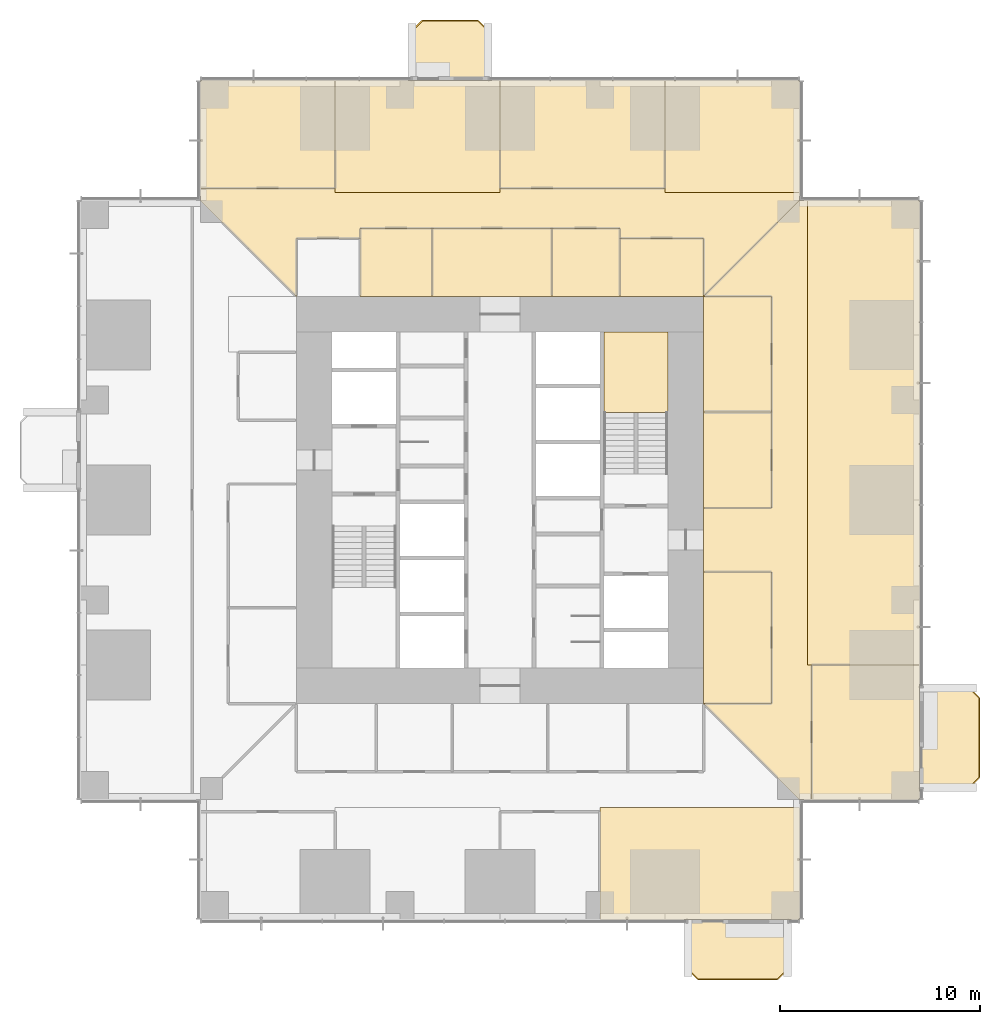
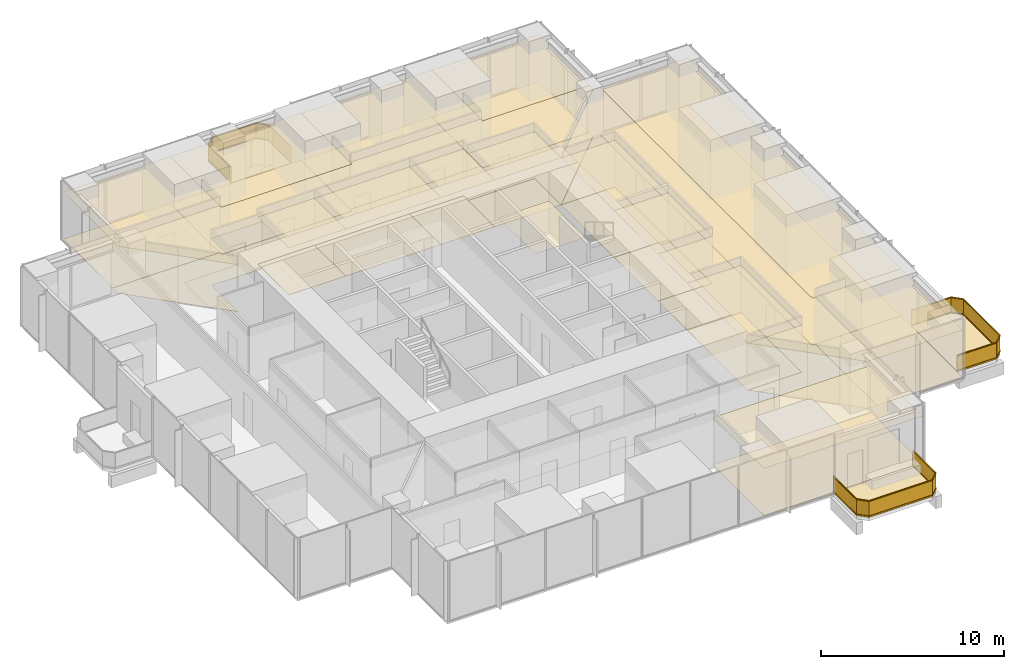
# One storey, part 14 of 15: 36 coverings, 3 railings.
"""IFC4 building model written with IfcOpenShell, lengths in metres."""

from ifc_helpers import new_model, si_unit, direction, frame, origin, origin_2d, place, context, subcontext, project, spatial, polyline, rectangle, outline, extrude, material, layer, layer_set, type_object, element, save


model = new_model("IFC4")

# Units and contexts
model_context = context("Model", 3, precision=1e-05, world=origin(), true_north=direction((0.0, 1.0)))
body_context = subcontext(model_context, "Body", "Model", "MODEL_VIEW")
ifc_project = project(units=[si_unit("LENGTHUNIT", "METRE"), si_unit("AREAUNIT", "SQUARE_METRE"), si_unit("VOLUMEUNIT", "CUBIC_METRE"), si_unit("PLANEANGLEUNIT", "RADIAN"), si_unit("MASSUNIT", "GRAM", prefix="KILO")], contexts=[model_context])

# Site, building, storey
site_placement = place(None, origin())
site = spatial("IfcSite", under=ifc_project, at=site_placement, CompositionType="ELEMENT")
building_placement = place(site_placement, origin())
building = spatial("IfcBuilding", under=site, at=building_placement, Name="Svetlomir Tower", CompositionType="ELEMENT")
storey_placement = place(building_placement, frame((0.0, 0.0, 42.5)))
storey = spatial("IfcBuildingStorey", under=building, at=storey_placement, Name="L09", CompositionType="ELEMENT", Elevation=42.5)

# Railings
ifc_material_1 = material(Name="Bronze anodised aluminium and laminated glass", Category="aluminium")
railing_type = type_object("IfcRailingType", Name="BALCONY GUARD GR1 1100", PredefinedType="GUARDRAIL", material=ifc_material_1)
railing_1_placement = place(storey_placement, frame((30.39990234375, 0.0, 0.0)))
element("IfcRailing", 1, at=railing_1_placement, inside=storey, type_object=railing_type, Name="Balcony guard S L09", PredefinedType="GUARDRAIL", context=body_context, shape_type="SweptSolid", body=[
    extrude(rectangle(XDim=0.06005859375, YDim=0.10009765625, at=origin_2d()), frame((0.0, 0.0, 0.050048828125), z_axis=(0.0, -1.0, 0.0), x_axis=(1.0, 0.0, 0.0)), (0.0, 0.0, 1.0), 2.5),
    extrude(rectangle(XDim=0.021484375, YDim=0.960205078125, at=origin_2d()), frame((0.0, 0.0, 0.580078125), z_axis=(0.0, -1.0, 0.0), x_axis=(1.0, 0.0, 0.0)), (0.0, 0.0, 1.0), 2.5),
    extrude(rectangle(XDim=0.06005859375, YDim=0.0400390625, at=origin_2d()), frame((0.0, 0.0, 1.080078125), z_axis=(0.0, -1.0, 0.0), x_axis=(1.0, 0.0, 0.0)), (0.0, 0.0, 1.0), 2.5),
    extrude(rectangle(XDim=0.06005859375, YDim=0.10009765625, at=origin_2d()), frame((0.0, -2.5, 0.050048828125), z_axis=(0.707106781187, -0.707106781187, 0.0), x_axis=(0.707106781187, 0.707106781187, 0.0)), (0.0, 0.0, 1.0), 0.70703125),
    extrude(rectangle(XDim=0.021484375, YDim=0.960205078125, at=origin_2d()), frame((0.0, -2.5, 0.580078125), z_axis=(0.707106781187, -0.707106781187, 0.0), x_axis=(0.707106781187, 0.707106781187, 0.0)), (0.0, 0.0, 1.0), 0.70703125),
    extrude(rectangle(XDim=0.06005859375, YDim=0.0400390625, at=origin_2d()), frame((0.0, -2.5, 1.080078125), z_axis=(0.707106781187, -0.707106781187, 0.0), x_axis=(0.707106781187, 0.707106781187, 0.0)), (0.0, 0.0, 1.0), 0.70703125),
    extrude(rectangle(XDim=0.06005859375, YDim=0.10009765625, at=origin_2d()), frame((0.5, -3.0, 0.050048828125), z_axis=(1.0, 0.0, 0.0), x_axis=(0.0, 1.0, 0.0)), (0.0, 0.0, 1.0), 4.0),
    extrude(rectangle(XDim=0.021484375, YDim=0.960205078125, at=origin_2d()), frame((0.5, -3.0, 0.580078125), z_axis=(1.0, 0.0, 0.0), x_axis=(0.0, 1.0, 0.0)), (0.0, 0.0, 1.0), 4.0),
    extrude(rectangle(XDim=0.06005859375, YDim=0.0400390625, at=origin_2d()), frame((0.5, -3.0, 1.080078125), z_axis=(1.0, 0.0, 0.0), x_axis=(0.0, 1.0, 0.0)), (0.0, 0.0, 1.0), 4.0),
    extrude(rectangle(XDim=0.06005859375, YDim=0.10009765625, at=origin_2d()), frame((4.5, -3.0, 0.050048828125), z_axis=(0.707106781187, 0.707106781187, 0.0), x_axis=(-0.707106781187, 0.707106781187, 0.0)), (0.0, 0.0, 1.0), 0.70703125),
    extrude(rectangle(XDim=0.021484375, YDim=0.960205078125, at=origin_2d()), frame((4.5, -3.0, 0.580078125), z_axis=(0.707106781187, 0.707106781187, 0.0), x_axis=(-0.707106781187, 0.707106781187, 0.0)), (0.0, 0.0, 1.0), 0.70703125),
    extrude(rectangle(XDim=0.06005859375, YDim=0.0400390625, at=origin_2d()), frame((4.5, -3.0, 1.080078125), z_axis=(0.707106781187, 0.707106781187, 0.0), x_axis=(-0.707106781187, 0.707106781187, 0.0)), (0.0, 0.0, 1.0), 0.70703125),
    extrude(rectangle(XDim=0.06005859375, YDim=0.10009765625, at=origin_2d()), frame((5.0, -2.5, 0.050048828125), z_axis=(0.0, 1.0, 0.0), x_axis=(-1.0, 0.0, 0.0)), (0.0, 0.0, 1.0), 2.5),
    extrude(rectangle(XDim=0.021484375, YDim=0.960205078125, at=origin_2d()), frame((5.0, -2.5, 0.580078125), z_axis=(0.0, 1.0, 0.0), x_axis=(-1.0, 0.0, 0.0)), (0.0, 0.0, 1.0), 2.5),
    extrude(rectangle(XDim=0.06005859375, YDim=0.0400390625, at=origin_2d()), frame((5.0, -2.5, 1.080078125), z_axis=(0.0, 1.0, 0.0), x_axis=(-1.0, 0.0, 0.0)), (0.0, 0.0, 1.0), 2.5),
])
railing_2_placement = place(storey_placement, frame((42.0, 6.60009765625, 0.0)))
element("IfcRailing", 2, at=railing_2_placement, inside=storey, type_object=railing_type, Name="Balcony guard E L09", PredefinedType="GUARDRAIL", context=body_context, shape_type="SweptSolid", body=[
    extrude(rectangle(XDim=0.06005859375, YDim=0.10009765625, at=origin_2d()), frame((0.0, 0.0, 0.050048828125), z_axis=(1.0, 0.0, 0.0), x_axis=(0.0, 1.0, 0.0)), (0.0, 0.0, 1.0), 2.5),
    extrude(rectangle(XDim=0.021484375, YDim=0.960205078125, at=origin_2d()), frame((0.0, 0.0, 0.580078125), z_axis=(1.0, 0.0, 0.0), x_axis=(0.0, 1.0, 0.0)), (0.0, 0.0, 1.0), 2.5),
    extrude(rectangle(XDim=0.06005859375, YDim=0.0400390625, at=origin_2d()), frame((0.0, 0.0, 1.080078125), z_axis=(1.0, 0.0, 0.0), x_axis=(0.0, 1.0, 0.0)), (0.0, 0.0, 1.0), 2.5),
    extrude(rectangle(XDim=0.06005859375, YDim=0.10009765625, at=origin_2d()), frame((2.5, 0.0, 0.050048828125), z_axis=(0.707106781187, 0.707106781187, 0.0), x_axis=(-0.707106781187, 0.707106781187, 0.0)), (0.0, 0.0, 1.0), 0.70703125),
    extrude(rectangle(XDim=0.021484375, YDim=0.960205078125, at=origin_2d()), frame((2.5, 0.0, 0.580078125), z_axis=(0.707106781187, 0.707106781187, 0.0), x_axis=(-0.707106781187, 0.707106781187, 0.0)), (0.0, 0.0, 1.0), 0.70703125),
    extrude(rectangle(XDim=0.06005859375, YDim=0.0400390625, at=origin_2d()), frame((2.5, 0.0, 1.080078125), z_axis=(0.707106781187, 0.707106781187, 0.0), x_axis=(-0.707106781187, 0.707106781187, 0.0)), (0.0, 0.0, 1.0), 0.70703125),
    extrude(rectangle(XDim=0.06005859375, YDim=0.10009765625, at=origin_2d()), frame((3.0, 0.5, 0.050048828125), z_axis=(0.0, 1.0, 0.0), x_axis=(-1.0, 0.0, 0.0)), (0.0, 0.0, 1.0), 4.0),
    extrude(rectangle(XDim=0.021484375, YDim=0.960205078125, at=origin_2d()), frame((3.0, 0.5, 0.580078125), z_axis=(0.0, 1.0, 0.0), x_axis=(-1.0, 0.0, 0.0)), (0.0, 0.0, 1.0), 4.0),
    extrude(rectangle(XDim=0.06005859375, YDim=0.0400390625, at=origin_2d()), frame((3.0, 0.5, 1.080078125), z_axis=(0.0, 1.0, 0.0), x_axis=(-1.0, 0.0, 0.0)), (0.0, 0.0, 1.0), 4.0),
    extrude(rectangle(XDim=0.06005859375, YDim=0.10009765625, at=origin_2d()), frame((3.0, 4.5, 0.050048828125), z_axis=(-0.707106781187, 0.707106781187, 0.0), x_axis=(-0.707106781187, -0.707106781187, 0.0)), (0.0, 0.0, 1.0), 0.70703125),
    extrude(rectangle(XDim=0.021484375, YDim=0.960205078125, at=origin_2d()), frame((3.0, 4.5, 0.580078125), z_axis=(-0.707106781187, 0.707106781187, 0.0), x_axis=(-0.707106781187, -0.707106781187, 0.0)), (0.0, 0.0, 1.0), 0.70703125),
    extrude(rectangle(XDim=0.06005859375, YDim=0.0400390625, at=origin_2d()), frame((3.0, 4.5, 1.080078125), z_axis=(-0.707106781187, 0.707106781187, 0.0), x_axis=(-0.707106781187, -0.707106781187, 0.0)), (0.0, 0.0, 1.0), 0.70703125),
    extrude(rectangle(XDim=0.06005859375, YDim=0.10009765625, at=origin_2d()), frame((2.5, 5.0, 0.050048828125), z_axis=(-1.0, 0.0, 0.0), x_axis=(0.0, -1.0, 0.0)), (0.0, 0.0, 1.0), 2.5),
    extrude(rectangle(XDim=0.021484375, YDim=0.960205078125, at=origin_2d()), frame((2.5, 5.0, 0.580078125), z_axis=(-1.0, 0.0, 0.0), x_axis=(0.0, -1.0, 0.0)), (0.0, 0.0, 1.0), 2.5),
    extrude(rectangle(XDim=0.06005859375, YDim=0.0400390625, at=origin_2d()), frame((2.5, 5.0, 1.080078125), z_axis=(-1.0, 0.0, 0.0), x_axis=(0.0, -1.0, 0.0)), (0.0, 0.0, 1.0), 2.5),
])
railing_3_placement = place(storey_placement, frame((20.39990234375, 42.0, 0.0)))
element("IfcRailing", 3, at=railing_3_placement, inside=storey, type_object=railing_type, Name="Balcony guard N L09", PredefinedType="GUARDRAIL", context=body_context, shape_type="SweptSolid", body=[
    extrude(rectangle(XDim=0.06005859375, YDim=0.10009765625, at=origin_2d()), frame((0.0, 0.0, 0.050048828125), z_axis=(0.0, 1.0, 0.0), x_axis=(-1.0, 0.0, 0.0)), (0.0, 0.0, 1.0), 2.5),
    extrude(rectangle(XDim=0.021484375, YDim=0.960205078125, at=origin_2d()), frame((0.0, 0.0, 0.580078125), z_axis=(0.0, 1.0, 0.0), x_axis=(-1.0, 0.0, 0.0)), (0.0, 0.0, 1.0), 2.5),
    extrude(rectangle(XDim=0.06005859375, YDim=0.0400390625, at=origin_2d()), frame((0.0, 0.0, 1.080078125), z_axis=(0.0, 1.0, 0.0), x_axis=(-1.0, 0.0, 0.0)), (0.0, 0.0, 1.0), 2.5),
    extrude(rectangle(XDim=0.06005859375, YDim=0.10009765625, at=origin_2d()), frame((0.0, 2.5, 0.050048828125), z_axis=(-0.707106781187, 0.707106781187, 0.0), x_axis=(-0.707106781187, -0.707106781187, 0.0)), (0.0, 0.0, 1.0), 0.70703125),
    extrude(rectangle(XDim=0.021484375, YDim=0.960205078125, at=origin_2d()), frame((0.0, 2.5, 0.580078125), z_axis=(-0.707106781187, 0.707106781187, 0.0), x_axis=(-0.707106781187, -0.707106781187, 0.0)), (0.0, 0.0, 1.0), 0.70703125),
    extrude(rectangle(XDim=0.06005859375, YDim=0.0400390625, at=origin_2d()), frame((0.0, 2.5, 1.080078125), z_axis=(-0.707106781187, 0.707106781187, 0.0), x_axis=(-0.707106781187, -0.707106781187, 0.0)), (0.0, 0.0, 1.0), 0.70703125),
    extrude(rectangle(XDim=0.06005859375, YDim=0.10009765625, at=origin_2d()), frame((-0.5, 3.0, 0.050048828125), z_axis=(-1.0, 0.0, 0.0), x_axis=(0.0, -1.0, 0.0)), (0.0, 0.0, 1.0), 2.7998046875),
    extrude(rectangle(XDim=0.021484375, YDim=0.960205078125, at=origin_2d()), frame((-0.5, 3.0, 0.580078125), z_axis=(-1.0, 0.0, 0.0), x_axis=(0.0, -1.0, 0.0)), (0.0, 0.0, 1.0), 2.7998046875),
    extrude(rectangle(XDim=0.06005859375, YDim=0.0400390625, at=origin_2d()), frame((-0.5, 3.0, 1.080078125), z_axis=(-1.0, 0.0, 0.0), x_axis=(0.0, -1.0, 0.0)), (0.0, 0.0, 1.0), 2.7998046875),
    extrude(rectangle(XDim=0.06005859375, YDim=0.10009765625, at=origin_2d()), frame((-3.2998046875, 3.0, 0.050048828125), z_axis=(-0.707106781187, -0.707106781187, 0.0), x_axis=(0.707106781187, -0.707106781187, 0.0)), (0.0, 0.0, 1.0), 0.70703125),
    extrude(rectangle(XDim=0.021484375, YDim=0.960205078125, at=origin_2d()), frame((-3.2998046875, 3.0, 0.580078125), z_axis=(-0.707106781187, -0.707106781187, 0.0), x_axis=(0.707106781187, -0.707106781187, 0.0)), (0.0, 0.0, 1.0), 0.70703125),
    extrude(rectangle(XDim=0.06005859375, YDim=0.0400390625, at=origin_2d()), frame((-3.2998046875, 3.0, 1.080078125), z_axis=(-0.707106781187, -0.707106781187, 0.0), x_axis=(0.707106781187, -0.707106781187, 0.0)), (0.0, 0.0, 1.0), 0.70703125),
    extrude(rectangle(XDim=0.06005859375, YDim=0.10009765625, at=origin_2d()), frame((-3.7998046875, 2.5, 0.050048828125), z_axis=(0.0, -1.0, 0.0), x_axis=(1.0, 0.0, 0.0)), (0.0, 0.0, 1.0), 2.5),
    extrude(rectangle(XDim=0.021484375, YDim=0.960205078125, at=origin_2d()), frame((-3.7998046875, 2.5, 0.580078125), z_axis=(0.0, -1.0, 0.0), x_axis=(1.0, 0.0, 0.0)), (0.0, 0.0, 1.0), 2.5),
    extrude(rectangle(XDim=0.06005859375, YDim=0.0400390625, at=origin_2d()), frame((-3.7998046875, 2.5, 1.080078125), z_axis=(0.0, -1.0, 0.0), x_axis=(1.0, 0.0, 0.0)), (0.0, 0.0, 1.0), 2.5),
])

# Coverings
ifc_material_2 = material(Name="Granite paving slabs on pedestals", Category="masonry")
ifc_layer_1 = layer(ifc_material_2, 0.0400390625)
ifc_layer_set_1 = layer_set([ifc_layer_1], Name="Granite paving slabs on pedestals")
covering_type_1 = type_object("IfcCoveringType", Name="BALCONY PAVING 40", PredefinedType="USERDEFINED", material=ifc_layer_set_1)
covering_1_placement = place(storey_placement, origin())
element("IfcCovering", 4, at=covering_1_placement, inside=storey, type_object=covering_type_1, Name="Balcony paving S L09", ObjectType="BALCONY PAVING", PredefinedType="USERDEFINED", context=body_context, shape_type="SweptSolid", body=[
    extrude(outline(polyline([(30.39990234375, -2.5), (30.89990234375, -3.0), (34.89990234375, -3.0), (35.39990234375, -2.5), (35.39990234375, 0.0), (30.39990234375, 0.0), (30.39990234375, -2.5)])), origin(), (0.0, 0.0, 1.0), 0.0400390625),
])
covering_2_placement = place(storey_placement, origin())
element("IfcCovering", 5, at=covering_2_placement, inside=storey, type_object=covering_type_1, Name="Balcony paving E L09", ObjectType="BALCONY PAVING", PredefinedType="USERDEFINED", context=body_context, shape_type="SweptSolid", body=[
    extrude(outline(polyline([(42.0, 6.60009765625), (44.5, 6.60009765625), (45.0, 7.10009765625), (45.0, 11.10009765625), (44.5, 11.60009765625), (42.0, 11.60009765625), (42.0, 6.60009765625)])), origin(), (0.0, 0.0, 1.0), 0.0400390625),
])
covering_3_placement = place(storey_placement, origin())
element("IfcCovering", 6, at=covering_3_placement, inside=storey, type_object=covering_type_1, Name="Balcony paving N L09", ObjectType="BALCONY PAVING", PredefinedType="USERDEFINED", context=body_context, shape_type="SweptSolid", body=[
    extrude(outline(polyline([(16.60009765625, 42.0), (20.39990234375, 42.0), (20.39990234375, 44.5), (19.89990234375, 45.0), (17.10009765625, 45.0), (16.60009765625, 44.5), (16.60009765625, 42.0)])), origin(), (0.0, 0.0, 1.0), 0.0400390625),
])
ifc_material_3 = material(Name="Carpet tile", Category="textile")
ifc_layer_2 = layer(ifc_material_3, 0.010009765625)
ifc_layer_set_2 = layer_set([ifc_layer_2], Name="Carpet tile")
covering_type_2 = type_object("IfcCoveringType", Name="CARPET TILE FLOOR 10", PredefinedType="FLOORING", material=ifc_layer_set_2)
covering_4_placement = place(storey_placement, origin())
element("IfcCovering", 7, at=covering_4_placement, inside=storey, type_object=covering_type_2, Name="Floor finish L09-18", PredefinedType="FLOORING", context=body_context, shape_type="SweptSolid", body=[
    extrude(outline(polyline([(31.199951171875, 10.800048828125), (34.60009765625, 10.800048828125), (34.60009765625, 17.39990234375), (31.199951171875, 17.39990234375), (31.199951171875, 10.800048828125)])), origin(), (0.0, 0.0, 1.0), 0.010009765625),
])
covering_5_placement = place(storey_placement, origin())
element("IfcCovering", 8, at=covering_5_placement, inside=storey, type_object=covering_type_2, Name="Floor finish L09-19", PredefinedType="FLOORING", context=body_context, shape_type="SweptSolid", body=[
    extrude(outline(polyline([(31.199951171875, 20.60009765625), (34.60009765625, 20.60009765625), (34.60009765625, 25.39990234375), (31.199951171875, 25.39990234375), (31.199951171875, 20.60009765625)])), origin(), (0.0, 0.0, 1.0), 0.010009765625),
])
covering_6_placement = place(storey_placement, origin())
element("IfcCovering", 9, at=covering_6_placement, inside=storey, type_object=covering_type_2, Name="Floor finish L09-20", PredefinedType="FLOORING", context=body_context, shape_type="SweptSolid", body=[
    extrude(outline(polyline([(31.199951171875, 25.39990234375), (34.60009765625, 25.39990234375), (34.60009765625, 31.199951171875), (31.199951171875, 31.199951171875), (31.199951171875, 25.39990234375)])), origin(), (0.0, 0.0, 1.0), 0.010009765625),
])
covering_7_placement = place(storey_placement, origin())
element("IfcCovering", 10, at=covering_7_placement, inside=storey, type_object=covering_type_2, Name="Floor finish L09-21", PredefinedType="FLOORING", context=body_context, shape_type="SweptSolid", body=[
    extrude(outline(polyline([(36.60009765625, 6.0), (42.0, 6.0), (42.0, 12.75), (36.60009765625, 12.75), (36.60009765625, 6.0)])), origin(), (0.0, 0.0, 1.0), 0.010009765625),
])
covering_8_placement = place(storey_placement, origin())
element("IfcCovering", 11, at=covering_8_placement, inside=storey, type_object=covering_type_2, Name="Floor finish L09-23", PredefinedType="FLOORING", context=body_context, shape_type="SweptSolid", body=[
    extrude(outline(polyline([(14.0, 31.199951171875), (17.60009765625, 31.199951171875), (17.60009765625, 34.60009765625), (14.0, 34.60009765625), (14.0, 31.199951171875)])), origin(), (0.0, 0.0, 1.0), 0.010009765625),
])
covering_9_placement = place(storey_placement, origin())
element("IfcCovering", 12, at=covering_9_placement, inside=storey, type_object=covering_type_2, Name="Floor finish L09-24", PredefinedType="FLOORING", context=body_context, shape_type="SweptSolid", body=[
    extrude(outline(polyline([(23.60009765625, 31.199951171875), (27.0, 31.199951171875), (27.0, 34.60009765625), (23.60009765625, 34.60009765625), (23.60009765625, 31.199951171875)])), origin(), (0.0, 0.0, 1.0), 0.010009765625),
])
covering_10_placement = place(storey_placement, origin())
element("IfcCovering", 13, at=covering_10_placement, inside=storey, type_object=covering_type_2, Name="Floor finish L09-25", PredefinedType="FLOORING", context=body_context, shape_type="SweptSolid", body=[
    extrude(outline(polyline([(27.0, 31.199951171875), (31.199951171875, 31.199951171875), (31.199951171875, 34.10009765625), (27.0, 34.10009765625), (27.0, 31.199951171875)])), origin(), (0.0, 0.0, 1.0), 0.010009765625),
])
covering_11_placement = place(storey_placement, origin())
element("IfcCovering", 14, at=covering_11_placement, inside=storey, type_object=covering_type_2, Name="Floor finish L09-26", PredefinedType="FLOORING", context=body_context, shape_type="SweptSolid", body=[
    extrude(outline(polyline([(6.0, 36.60009765625), (12.75, 36.60009765625), (12.75, 42.0), (6.0, 42.0), (6.0, 36.60009765625)])), origin(), (0.0, 0.0, 1.0), 0.010009765625),
])
covering_12_placement = place(storey_placement, origin())
element("IfcCovering", 15, at=covering_12_placement, inside=storey, type_object=covering_type_2, Name="Floor finish L09-27", PredefinedType="FLOORING", context=body_context, shape_type="SweptSolid", body=[
    extrude(outline(polyline([(21.0, 36.60009765625), (29.25, 36.60009765625), (29.25, 42.0), (21.0, 42.0), (21.0, 36.60009765625)])), origin(), (0.0, 0.0, 1.0), 0.010009765625),
])
covering_13_placement = place(storey_placement, origin())
element("IfcCovering", 16, at=covering_13_placement, inside=storey, type_object=covering_type_2, Name="Floor finish L09-31", PredefinedType="FLOORING", context=body_context, shape_type="SweptSolid", body=[
    extrude(outline(polyline([(31.199951171875, 10.800048828125), (34.60009765625, 10.800048828125), (34.60009765625, 17.39990234375), (31.199951171875, 17.39990234375), (31.199951171875, 20.60009765625), (34.60009765625, 20.60009765625), (34.60009765625, 31.199951171875), (31.199951171875, 31.199951171875), (36.0, 36.0), (36.39990234375, 36.0), (36.39990234375, 12.75), (36.60009765625, 12.75), (36.60009765625, 6.0), (36.0, 6.0), (31.199951171875, 10.800048828125)])), origin(), (0.0, 0.0, 1.0), 0.010009765625),
])
covering_14_placement = place(storey_placement, origin())
element("IfcCovering", 17, at=covering_14_placement, inside=storey, type_object=covering_type_2, Name="Floor finish L09-32", PredefinedType="FLOORING", context=body_context, shape_type="SweptSolid", body=[
    extrude(outline(polyline([(6.0, 36.60009765625), (12.75, 36.60009765625), (12.75, 36.39990234375), (21.0, 36.39990234375), (21.0, 36.60009765625), (29.25, 36.60009765625), (29.25, 36.39990234375), (36.0, 36.39990234375), (36.0, 36.0), (31.199951171875, 31.199951171875), (31.199951171875, 34.10009765625), (27.0, 34.10009765625), (27.0, 34.60009765625), (14.0, 34.60009765625), (14.0, 34.10009765625), (10.800048828125, 34.10009765625), (10.800048828125, 31.199951171875), (6.0, 36.0), (6.0, 36.60009765625)])), origin(), (0.0, 0.0, 1.0), 0.010009765625),
])
covering_15_placement = place(storey_placement, origin())
element("IfcCovering", 18, at=covering_15_placement, inside=storey, type_object=covering_type_2, Name="Floor finish L09-35", PredefinedType="FLOORING", context=body_context, shape_type="SweptSolid", body=[
    extrude(outline(polyline([(26.0, 0.0), (26.0, 5.60009765625), (36.0, 5.60009765625), (36.0, 0.0), (26.0, 0.0)])), origin(), (0.0, 0.0, 1.0), 0.010009765625),
])
covering_16_placement = place(storey_placement, origin())
element("IfcCovering", 19, at=covering_16_placement, inside=storey, type_object=covering_type_2, Name="Floor finish L09-38", PredefinedType="FLOORING", context=body_context, shape_type="SweptSolid", body=[
    extrude(outline(polyline([(42.0, 12.75), (36.39990234375, 12.75), (36.39990234375, 36.0), (42.0, 36.0), (42.0, 12.75)])), origin(), (0.0, 0.0, 1.0), 0.010009765625),
])
covering_17_placement = place(storey_placement, origin())
element("IfcCovering", 20, at=covering_17_placement, inside=storey, type_object=covering_type_2, Name="Floor finish L09-39", PredefinedType="FLOORING", context=body_context, shape_type="SweptSolid", body=[
    extrude(outline(polyline([(21.0, 42.0), (21.0, 36.39990234375), (12.75, 36.39990234375), (12.75, 42.0), (21.0, 42.0)])), origin(), (0.0, 0.0, 1.0), 0.010009765625),
])
covering_18_placement = place(storey_placement, origin())
element("IfcCovering", 21, at=covering_18_placement, inside=storey, type_object=covering_type_2, Name="Floor finish L09-40", PredefinedType="FLOORING", context=body_context, shape_type="SweptSolid", body=[
    extrude(outline(polyline([(36.0, 42.0), (36.0, 36.39990234375), (29.25, 36.39990234375), (29.25, 42.0), (36.0, 42.0)])), origin(), (0.0, 0.0, 1.0), 0.010009765625),
])
covering_19_placement = place(storey_placement, origin())
element("IfcCovering", 22, at=covering_19_placement, inside=storey, type_object=covering_type_2, Name="Floor finish L09-41", PredefinedType="FLOORING", context=body_context, shape_type="SweptSolid", body=[
    extrude(outline(polyline([(17.60009765625, 31.199951171875), (17.60009765625, 34.60009765625), (23.60009765625, 34.60009765625), (23.60009765625, 31.199951171875), (17.60009765625, 31.199951171875)])), origin(), (0.0, 0.0, 1.0), 0.010009765625),
])
ifc_material_4 = material(Name="Studded rubber floor finish", Category="rubber")
ifc_layer_3 = layer(ifc_material_4, 0.006103515625)
ifc_layer_set_3 = layer_set([ifc_layer_3], Name="Studded rubber floor finish")
covering_type_3 = type_object("IfcCoveringType", Name="RUBBER LANDING FINISH 6", PredefinedType="FLOORING", material=ifc_layer_set_3)
covering_20_placement = place(storey_placement, frame((0.0, 0.0, 2.0)))
element("IfcCovering", 23, at=covering_20_placement, inside=storey, type_object=covering_type_3, Name="Stair S2 landing finish L09", PredefinedType="FLOORING", context=body_context, shape_type="SweptSolid", body=[
    extrude(outline(polyline([(26.199951171875, 25.3798828125), (29.39990234375, 25.3798828125), (29.39990234375, 29.39990234375), (26.199951171875, 29.39990234375), (26.199951171875, 25.3798828125)])), origin(), (0.0, 0.0, 1.0), 0.006103515625),
])
ifc_material_5 = material(Name="Mineral fibre ceiling tile", Category="mineral")
ifc_layer_4 = layer(ifc_material_5, 0.02001953125)
ifc_layer_set_4 = layer_set([ifc_layer_4], Name="Mineral fibre ceiling tile")
covering_type_4 = type_object("IfcCoveringType", Name="SUSPENDED CEILING 20", PredefinedType="CEILING", material=ifc_layer_set_4)
covering_21_placement = place(storey_placement, frame((0.0, 0.0, 3.1298828125)))
element("IfcCovering", 24, at=covering_21_placement, inside=storey, type_object=covering_type_4, Name="Ceiling L09-18", PredefinedType="CEILING", context=body_context, shape_type="SweptSolid", body=[
    extrude(outline(polyline([(31.199951171875, 10.800048828125), (34.60009765625, 10.800048828125), (34.60009765625, 17.39990234375), (31.199951171875, 17.39990234375), (31.199951171875, 10.800048828125)])), origin(), (0.0, 0.0, 1.0), 0.02001953125),
])
covering_22_placement = place(storey_placement, frame((0.0, 0.0, 3.1298828125)))
element("IfcCovering", 25, at=covering_22_placement, inside=storey, type_object=covering_type_4, Name="Ceiling L09-19", PredefinedType="CEILING", context=body_context, shape_type="SweptSolid", body=[
    extrude(outline(polyline([(31.199951171875, 20.60009765625), (34.60009765625, 20.60009765625), (34.60009765625, 25.39990234375), (31.199951171875, 25.39990234375), (31.199951171875, 20.60009765625)])), origin(), (0.0, 0.0, 1.0), 0.02001953125),
])
covering_23_placement = place(storey_placement, frame((0.0, 0.0, 3.1298828125)))
element("IfcCovering", 26, at=covering_23_placement, inside=storey, type_object=covering_type_4, Name="Ceiling L09-20", PredefinedType="CEILING", context=body_context, shape_type="SweptSolid", body=[
    extrude(outline(polyline([(31.199951171875, 25.39990234375), (34.60009765625, 25.39990234375), (34.60009765625, 31.199951171875), (31.199951171875, 31.199951171875), (31.199951171875, 25.39990234375)])), origin(), (0.0, 0.0, 1.0), 0.02001953125),
])
covering_24_placement = place(storey_placement, frame((0.0, 0.0, 3.1298828125)))
element("IfcCovering", 27, at=covering_24_placement, inside=storey, type_object=covering_type_4, Name="Ceiling L09-21", PredefinedType="CEILING", context=body_context, shape_type="SweptSolid", body=[
    extrude(outline(polyline([(36.60009765625, 6.0), (42.0, 6.0), (42.0, 12.75), (36.60009765625, 12.75), (36.60009765625, 6.0)])), origin(), (0.0, 0.0, 1.0), 0.02001953125),
])
covering_25_placement = place(storey_placement, frame((0.0, 0.0, 3.1298828125)))
element("IfcCovering", 28, at=covering_25_placement, inside=storey, type_object=covering_type_4, Name="Ceiling L09-23", PredefinedType="CEILING", context=body_context, shape_type="SweptSolid", body=[
    extrude(outline(polyline([(14.0, 31.199951171875), (17.60009765625, 31.199951171875), (17.60009765625, 34.60009765625), (14.0, 34.60009765625), (14.0, 31.199951171875)])), origin(), (0.0, 0.0, 1.0), 0.02001953125),
])
covering_26_placement = place(storey_placement, frame((0.0, 0.0, 3.1298828125)))
element("IfcCovering", 29, at=covering_26_placement, inside=storey, type_object=covering_type_4, Name="Ceiling L09-24", PredefinedType="CEILING", context=body_context, shape_type="SweptSolid", body=[
    extrude(outline(polyline([(23.60009765625, 31.199951171875), (27.0, 31.199951171875), (27.0, 34.60009765625), (23.60009765625, 34.60009765625), (23.60009765625, 31.199951171875)])), origin(), (0.0, 0.0, 1.0), 0.02001953125),
])
covering_27_placement = place(storey_placement, frame((0.0, 0.0, 3.1298828125)))
element("IfcCovering", 30, at=covering_27_placement, inside=storey, type_object=covering_type_4, Name="Ceiling L09-25", PredefinedType="CEILING", context=body_context, shape_type="SweptSolid", body=[
    extrude(outline(polyline([(27.0, 31.199951171875), (31.199951171875, 31.199951171875), (31.199951171875, 34.10009765625), (27.0, 34.10009765625), (27.0, 31.199951171875)])), origin(), (0.0, 0.0, 1.0), 0.02001953125),
])
covering_28_placement = place(storey_placement, frame((0.0, 0.0, 3.1298828125)))
element("IfcCovering", 31, at=covering_28_placement, inside=storey, type_object=covering_type_4, Name="Ceiling L09-26", PredefinedType="CEILING", context=body_context, shape_type="SweptSolid", body=[
    extrude(outline(polyline([(6.0, 36.60009765625), (12.75, 36.60009765625), (12.75, 42.0), (6.0, 42.0), (6.0, 36.60009765625)])), origin(), (0.0, 0.0, 1.0), 0.02001953125),
])
covering_29_placement = place(storey_placement, frame((0.0, 0.0, 3.1298828125)))
element("IfcCovering", 32, at=covering_29_placement, inside=storey, type_object=covering_type_4, Name="Ceiling L09-27", PredefinedType="CEILING", context=body_context, shape_type="SweptSolid", body=[
    extrude(outline(polyline([(21.0, 36.60009765625), (29.25, 36.60009765625), (29.25, 42.0), (21.0, 42.0), (21.0, 36.60009765625)])), origin(), (0.0, 0.0, 1.0), 0.02001953125),
])
covering_30_placement = place(storey_placement, frame((0.0, 0.0, 3.1298828125)))
element("IfcCovering", 33, at=covering_30_placement, inside=storey, type_object=covering_type_4, Name="Ceiling L09-31", PredefinedType="CEILING", context=body_context, shape_type="SweptSolid", body=[
    extrude(outline(polyline([(31.199951171875, 10.800048828125), (34.60009765625, 10.800048828125), (34.60009765625, 17.39990234375), (31.199951171875, 17.39990234375), (31.199951171875, 20.60009765625), (34.60009765625, 20.60009765625), (34.60009765625, 31.199951171875), (31.199951171875, 31.199951171875), (36.0, 36.0), (36.39990234375, 36.0), (36.39990234375, 12.75), (36.60009765625, 12.75), (36.60009765625, 6.0), (36.0, 6.0), (31.199951171875, 10.800048828125)])), origin(), (0.0, 0.0, 1.0), 0.02001953125),
])
covering_31_placement = place(storey_placement, frame((0.0, 0.0, 3.1298828125)))
element("IfcCovering", 34, at=covering_31_placement, inside=storey, type_object=covering_type_4, Name="Ceiling L09-32", PredefinedType="CEILING", context=body_context, shape_type="SweptSolid", body=[
    extrude(outline(polyline([(6.0, 36.60009765625), (12.75, 36.60009765625), (12.75, 36.39990234375), (21.0, 36.39990234375), (21.0, 36.60009765625), (29.25, 36.60009765625), (29.25, 36.39990234375), (36.0, 36.39990234375), (36.0, 36.0), (31.199951171875, 31.199951171875), (31.199951171875, 34.10009765625), (27.0, 34.10009765625), (27.0, 34.60009765625), (14.0, 34.60009765625), (14.0, 34.10009765625), (10.800048828125, 34.10009765625), (10.800048828125, 31.199951171875), (6.0, 36.0), (6.0, 36.60009765625)])), origin(), (0.0, 0.0, 1.0), 0.02001953125),
])
covering_32_placement = place(storey_placement, frame((0.0, 0.0, 3.1298828125)))
element("IfcCovering", 35, at=covering_32_placement, inside=storey, type_object=covering_type_4, Name="Ceiling L09-35", PredefinedType="CEILING", context=body_context, shape_type="SweptSolid", body=[
    extrude(outline(polyline([(26.0, 0.0), (26.0, 5.60009765625), (36.0, 5.60009765625), (36.0, 0.0), (26.0, 0.0)])), origin(), (0.0, 0.0, 1.0), 0.02001953125),
])
covering_33_placement = place(storey_placement, frame((0.0, 0.0, 3.1298828125)))
element("IfcCovering", 36, at=covering_33_placement, inside=storey, type_object=covering_type_4, Name="Ceiling L09-38", PredefinedType="CEILING", context=body_context, shape_type="SweptSolid", body=[
    extrude(outline(polyline([(42.0, 12.75), (36.39990234375, 12.75), (36.39990234375, 36.0), (42.0, 36.0), (42.0, 12.75)])), origin(), (0.0, 0.0, 1.0), 0.02001953125),
])
covering_34_placement = place(storey_placement, frame((0.0, 0.0, 3.1298828125)))
element("IfcCovering", 37, at=covering_34_placement, inside=storey, type_object=covering_type_4, Name="Ceiling L09-39", PredefinedType="CEILING", context=body_context, shape_type="SweptSolid", body=[
    extrude(outline(polyline([(21.0, 42.0), (21.0, 36.39990234375), (12.75, 36.39990234375), (12.75, 42.0), (21.0, 42.0)])), origin(), (0.0, 0.0, 1.0), 0.02001953125),
])
covering_35_placement = place(storey_placement, frame((0.0, 0.0, 3.1298828125)))
element("IfcCovering", 38, at=covering_35_placement, inside=storey, type_object=covering_type_4, Name="Ceiling L09-40", PredefinedType="CEILING", context=body_context, shape_type="SweptSolid", body=[
    extrude(outline(polyline([(36.0, 42.0), (36.0, 36.39990234375), (29.25, 36.39990234375), (29.25, 42.0), (36.0, 42.0)])), origin(), (0.0, 0.0, 1.0), 0.02001953125),
])
covering_36_placement = place(storey_placement, frame((0.0, 0.0, 3.1298828125)))
element("IfcCovering", 39, at=covering_36_placement, inside=storey, type_object=covering_type_4, Name="Ceiling L09-41", PredefinedType="CEILING", context=body_context, shape_type="SweptSolid", body=[
    extrude(outline(polyline([(17.60009765625, 31.199951171875), (17.60009765625, 34.60009765625), (23.60009765625, 34.60009765625), (23.60009765625, 31.199951171875), (17.60009765625, 31.199951171875)])), origin(), (0.0, 0.0, 1.0), 0.02001953125),
])

save(model, "model.ifc")
